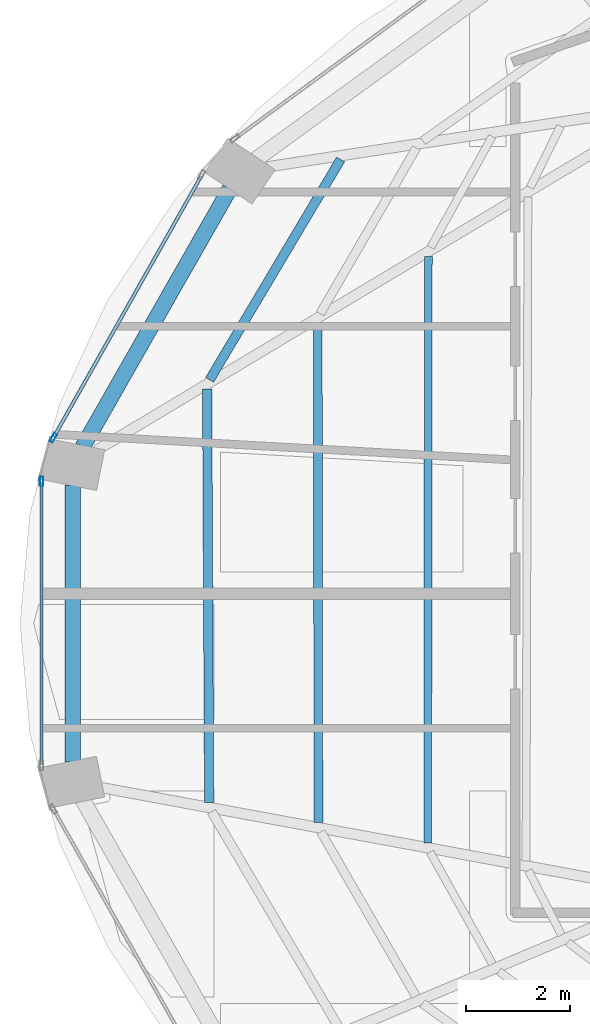
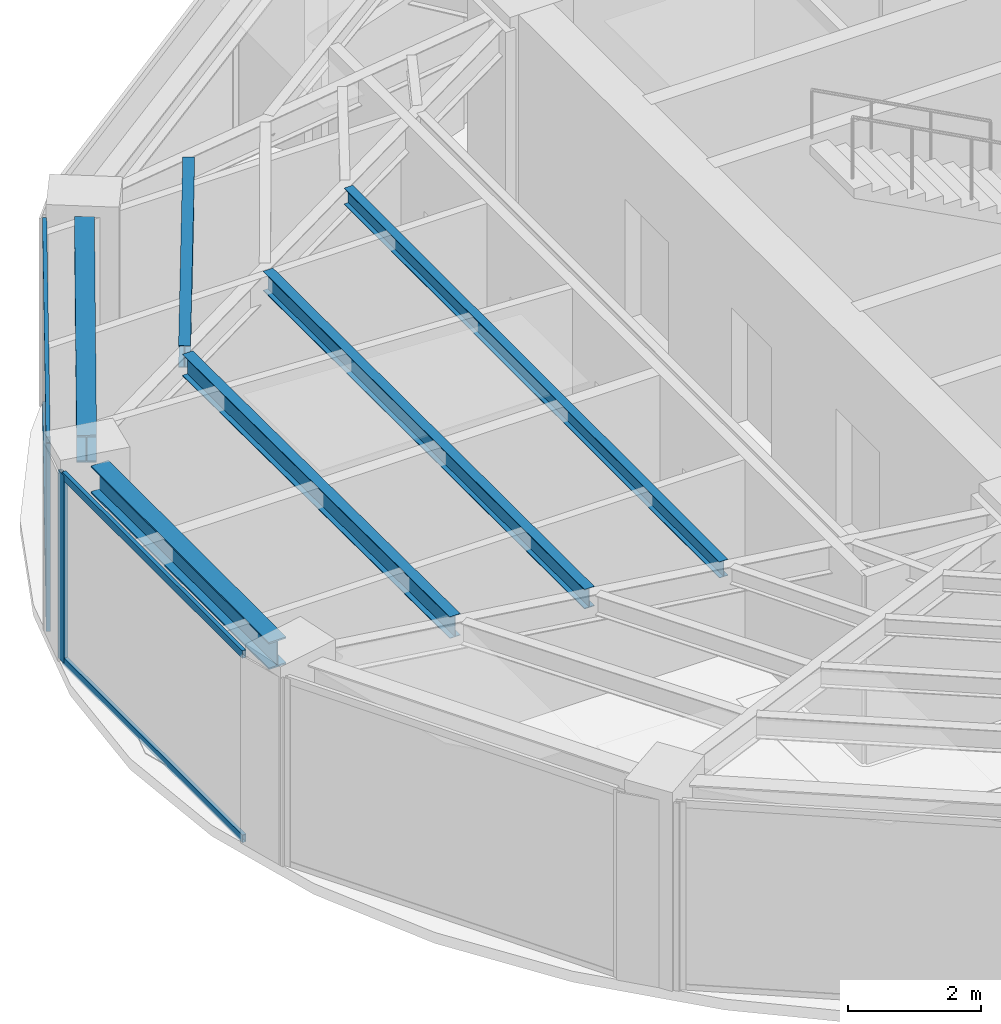
# One storey, part 8 of 23: 6 beams, 6 members, 2 elements without a shape of their own.
"""IFC4 building model written with IfcOpenShell, lengths in metres."""

from ifc_helpers import new_model, si_unit, direction, frame, origin, origin_2d, place, context, subcontext, project, spatial, hollow_rectangle, i_section, extrude, material, layer, layer_set, material_profile, profile_set, type_object, element, aggregate, save


model = new_model("IFC4")

# Units and contexts
model_context = context("Model", 3, precision=1e-05, world=origin(), true_north=direction((0.0, 1.0)))
body_context = subcontext(model_context, "Body", "Model", "MODEL_VIEW")
ifc_project = project(units=[si_unit("LENGTHUNIT", "METRE"), si_unit("AREAUNIT", "SQUARE_METRE"), si_unit("VOLUMEUNIT", "CUBIC_METRE"), si_unit("PLANEANGLEUNIT", "RADIAN"), si_unit("MASSUNIT", "GRAM", prefix="KILO")], contexts=[model_context])

# Site, building, storey
site_placement = place(None, origin())
site = spatial("IfcSite", under=ifc_project, at=site_placement, CompositionType="ELEMENT")
building_placement = place(site_placement, origin())
building = spatial("IfcBuilding", under=site, at=building_placement, Name="Lazwardi Medical Tower", CompositionType="ELEMENT")
storey_placement = place(building_placement, frame((0.0, 0.0, 213.072021484375)))
storey = spatial("IfcBuildingStorey", under=building, at=storey_placement, Name="L55", CompositionType="ELEMENT", Elevation=213.072021484375)

# Beams
ifc_material_1 = material(Name="Steel S355", Category="steel")
ifc_material_profile_1 = material_profile(ifc_material_1, i_section(OverallWidth=0.300048828125, OverallDepth=0.5, WebThickness=0.014404296875, FlangeThickness=0.028076171875, at=origin_2d()), Name="HEB 500")
ifc_profile_set_1 = profile_set([ifc_material_profile_1], Name="Steel S355")
beam_type_1 = type_object("IfcBeamType", Name="BM-RB-Z4", PredefinedType="BEAM", material=ifc_profile_set_1)
beam_1_placement = place(storey_placement, frame((17.84716796875, 33.983642578125, 3.197998046875), z_axis=(-0.495125273299, -0.868821594886, 0.0), x_axis=(0.868821594886, -0.495125273299, 0.0)))
element("IfcBeam", 1, at=beam_1_placement, inside=storey, type_object=beam_type_1, Name="Ring beam RB-05 B11 L55", PredefinedType="BEAM", context=body_context, shape_type="SweptSolid", body=[
    extrude(i_section(OverallWidth=0.300048828125, OverallDepth=0.5, WebThickness=0.014404296875, FlangeThickness=0.028076171875, at=origin_2d()), origin(), (0.0, 0.0, 1.0), 5.734130859375),
])
beam_2_placement = place(storey_placement, frame((14.81494140625, 28.27294921875, 3.197998046875), z_axis=(0.0, -1.0, 0.0), x_axis=(1.0, 0.0, 0.0)))
element("IfcBeam", 2, at=beam_2_placement, inside=storey, type_object=beam_type_1, Name="Ring beam RB-05 B12 L55", PredefinedType="BEAM", context=body_context, shape_type="SweptSolid", body=[
    extrude(i_section(OverallWidth=0.300048828125, OverallDepth=0.5, WebThickness=0.014404296875, FlangeThickness=0.028076171875, at=origin_2d()), origin(), (0.0, 0.0, 1.0), 5.345947265625),
])
ifc_material_profile_2 = material_profile(ifc_material_1, i_section(OverallWidth=0.179931640625, OverallDepth=0.39990234375, WebThickness=0.008544921875, FlangeThickness=0.013427734375, at=origin_2d()), Name="IPE 400")
ifc_profile_set_2 = profile_set([ifc_material_profile_2], Name="Steel S355")
beam_type_2 = type_object("IfcBeamType", Name="BM-SJ-01", PredefinedType="JOIST", material=ifc_profile_set_2)
beam_3_placement = place(storey_placement, frame((19.98095703125, 34.544921875, 3.248046875), z_axis=(-0.510967866251, -0.859599813668, 0.0), x_axis=(0.859599813668, -0.510967866251, 0.0)))
element("IfcBeam", 3, at=beam_3_placement, inside=storey, type_object=beam_type_2, Name="Secondary joist SJ-01 R1 B11 L55", PredefinedType="JOIST", context=body_context, shape_type="SweptSolid", body=[
    extrude(i_section(OverallWidth=0.179931640625, OverallDepth=0.39990234375, WebThickness=0.008544921875, FlangeThickness=0.013427734375, at=origin_2d()), origin(), (0.0, 0.0, 1.0), 4.94189453125),
])
beam_4_placement = place(storey_placement, frame((17.407958984375, 30.120361328125, 3.248046875), z_axis=(0.004929366644, -0.999987850598, 0.0), x_axis=(0.999987850598, 0.004929366644, 0.0)))
element("IfcBeam", 4, at=beam_4_placement, inside=storey, type_object=beam_type_2, Name="Secondary joist SJ-01 R1 B12 L55", PredefinedType="JOIST", context=body_context, shape_type="SweptSolid", body=[
    extrude(i_section(OverallWidth=0.179931640625, OverallDepth=0.39990234375, WebThickness=0.008544921875, FlangeThickness=0.013427734375, at=origin_2d()), origin(), (0.0, 0.0, 1.0), 7.973876953125),
])
ifc_material_profile_3 = material_profile(ifc_material_1, i_section(OverallWidth=0.169921875, OverallDepth=0.360107421875, WebThickness=0.008056640625, FlangeThickness=0.0126953125, at=origin_2d()), Name="IPE 360")
ifc_profile_set_3 = profile_set([ifc_material_profile_3], Name="Steel S355")
beam_type_3 = type_object("IfcBeamType", Name="BM-SJ-02", PredefinedType="JOIST", material=ifc_profile_set_3)
beam_5_placement = place(storey_placement, frame((19.541015625, 31.397705078125, 3.26806640625), z_axis=(0.001367606673, -0.999999064826, 0.0), x_axis=(0.999999064826, 0.001367606673, 0.0)))
element("IfcBeam", 5, at=beam_5_placement, inside=storey, type_object=beam_type_3, Name="Secondary joist SJ-02 R2 B12 L55", PredefinedType="JOIST", context=body_context, shape_type="SweptSolid", body=[
    extrude(i_section(OverallWidth=0.169921875, OverallDepth=0.360107421875, WebThickness=0.008056640625, FlangeThickness=0.0126953125, at=origin_2d()), origin(), (0.0, 0.0, 1.0), 9.639892578125),
])
ifc_material_profile_4 = material_profile(ifc_material_1, i_section(OverallWidth=0.14990234375, OverallDepth=0.300048828125, WebThickness=0.007080078125, FlangeThickness=0.0107421875, at=origin_2d()), Name="IPE 300")
ifc_profile_set_4 = profile_set([ifc_material_profile_4], Name="Steel S355")
beam_type_4 = type_object("IfcBeamType", Name="BM-SJ-03", PredefinedType="JOIST", material=ifc_profile_set_4)
beam_6_placement = place(storey_placement, frame((21.674072265625, 32.67529296875, 3.298095703125), z_axis=(-0.001166079235, -0.999999320129, 0.0), x_axis=(0.999999320129, -0.001166079235, 0.0)))
element("IfcBeam", 6, at=beam_6_placement, inside=storey, type_object=beam_type_4, Name="Secondary joist SJ-03 R3 B12 L55", PredefinedType="JOIST", context=body_context, shape_type="SweptSolid", body=[
    extrude(i_section(OverallWidth=0.14990234375, OverallDepth=0.300048828125, WebThickness=0.007080078125, FlangeThickness=0.0107421875, at=origin_2d()), origin(), (0.0, 0.0, 1.0), 11.305908203125),
])

# Curtain wall, member
ifc_material_2 = material(Name="Anodised bronze aluminium and solar control glazing", Category="aluminium")
ifc_layer = layer(ifc_material_2, 0.18994140625)
ifc_layer_set = layer_set([ifc_layer], Name="Anodised bronze aluminium and solar control glazing")
curtain_wall_type = type_object("IfcCurtainWallType", Name="CW-SYS-04", PredefinedType="NOTDEFINED", material=ifc_layer_set)
curtain_wall_1_placement = place(storey_placement, origin())
curtain_wall_1 = element("IfcCurtainWall", 7, at=curtain_wall_1_placement, inside=storey, type_object=curtain_wall_type, Name="L55 Unitised bronze curtain wall CW-04", PredefinedType="NOTDEFINED")
ifc_material_3 = material(Name="Anodised bronze aluminium", Category="aluminium")
ifc_material_profile_5 = material_profile(ifc_material_3, hollow_rectangle(XDim=0.06494140625, YDim=0.179931640625, WallThickness=0.00390625, at=origin_2d()), Name="ALU-MULLION 180x65x4")
ifc_profile_set_5 = profile_set([ifc_material_profile_5], Name="Anodised bronze aluminium")
member_type_1 = type_object("IfcMemberType", Name="CW-MUL-03", PredefinedType="MULLION", material=ifc_profile_set_5)
member_1_placement = place(storey_placement, frame((14.442626953125, 29.17822265625, 0.0), z_axis=(0.0, 0.0, 1.0), x_axis=(0.870651436011, -0.491900474661, 0.0)))
member_1 = element("IfcMember", 8, at=member_1_placement, type_object=member_type_1, Name="CW-04 mullion 2", PredefinedType="MULLION", context=body_context, shape_type="SweptSolid", body=[
    extrude(hollow_rectangle(XDim=0.06494140625, YDim=0.179931640625, WallThickness=0.00390625, at=origin_2d()), origin(), (0.0, 0.0, 1.0), 3.447998046875),
])

curtain_wall_2_placement = place(storey_placement, origin())
curtain_wall_2 = element("IfcCurtainWall", 9, at=curtain_wall_2_placement, inside=storey, type_object=curtain_wall_type, Name="L55 Unitised bronze curtain wall CW-04", PredefinedType="NOTDEFINED")
member_2_placement = place(storey_placement, frame((14.2158203125, 28.340576171875, 0.0), z_axis=(0.0, 0.0, 1.0), x_axis=(1.0, 0.0, 0.0)))
member_2 = element("IfcMember", 10, at=member_2_placement, type_object=member_type_1, Name="CW-04 mullion 1", PredefinedType="MULLION", context=body_context, shape_type="SweptSolid", body=[
    extrude(hollow_rectangle(XDim=0.06494140625, YDim=0.179931640625, WallThickness=0.00390625, at=origin_2d()), origin(), (0.0, 0.0, 1.0), 3.447998046875),
])

# Member
ifc_material_profile_6 = material_profile(ifc_material_3, hollow_rectangle(XDim=0.06494140625, YDim=0.139892578125, WallThickness=0.00341796875, at=origin_2d()), Name="ALU-TRANSOM 140x65x3.5")
ifc_profile_set_6 = profile_set([ifc_material_profile_6], Name="Anodised bronze aluminium")
member_type_2 = type_object("IfcMemberType", Name="CW-TRN-03", PredefinedType="USERDEFINED", material=ifc_profile_set_6)
member_3_placement = place(storey_placement, frame((17.28955078125, 34.21728515625, 0.032470703125), z_axis=(-0.491879719484, -0.87066316194, 0.0), x_axis=(0.87066316194, -0.491879719484, 0.0)))
member_3 = element("IfcMember", 11, at=member_3_placement, type_object=member_type_2, Name="CW-04 transom 1.1", ObjectType="TRANSOM", PredefinedType="USERDEFINED", context=body_context, shape_type="SweptSolid", body=[
    extrude(hollow_rectangle(XDim=0.06494140625, YDim=0.139892578125, WallThickness=0.00341796875, at=origin_2d()), origin(), (0.0, 0.0, 1.0), 5.755126953125),
])

member_4_placement = place(storey_placement, frame((17.28955078125, 34.21728515625, 3.41552734375), z_axis=(-0.491879719484, -0.87066316194, 0.0), x_axis=(0.87066316194, -0.491879719484, 0.0)))
member_4 = element("IfcMember", 12, at=member_4_placement, type_object=member_type_2, Name="CW-04 transom 1.2", ObjectType="TRANSOM", PredefinedType="USERDEFINED", context=body_context, shape_type="SweptSolid", body=[
    extrude(hollow_rectangle(XDim=0.06494140625, YDim=0.139892578125, WallThickness=0.00341796875, at=origin_2d()), origin(), (0.0, 0.0, 1.0), 5.755126953125),
])

aggregate(curtain_wall_1, [member_1, member_3, member_4])

member_5_placement = place(storey_placement, frame((14.2158203125, 28.30810546875, 0.032470703125), z_axis=(0.0, -1.0, 0.0), x_axis=(1.0, 0.0, 0.0)))
member_5 = element("IfcMember", 13, at=member_5_placement, type_object=member_type_2, Name="CW-04 transom 1.1", ObjectType="TRANSOM", PredefinedType="USERDEFINED", context=body_context, shape_type="SweptSolid", body=[
    extrude(hollow_rectangle(XDim=0.06494140625, YDim=0.139892578125, WallThickness=0.00341796875, at=origin_2d()), origin(), (0.0, 0.0, 1.0), 5.416015625),
])

member_6_placement = place(storey_placement, frame((14.2158203125, 28.30810546875, 3.41552734375), z_axis=(0.0, -1.0, 0.0), x_axis=(1.0, 0.0, 0.0)))
member_6 = element("IfcMember", 14, at=member_6_placement, type_object=member_type_2, Name="CW-04 transom 1.2", ObjectType="TRANSOM", PredefinedType="USERDEFINED", context=body_context, shape_type="SweptSolid", body=[
    extrude(hollow_rectangle(XDim=0.06494140625, YDim=0.139892578125, WallThickness=0.00341796875, at=origin_2d()), origin(), (0.0, 0.0, 1.0), 5.416015625),
])

aggregate(curtain_wall_2, [member_2, member_5, member_6])

save(model, "model.ifc")
